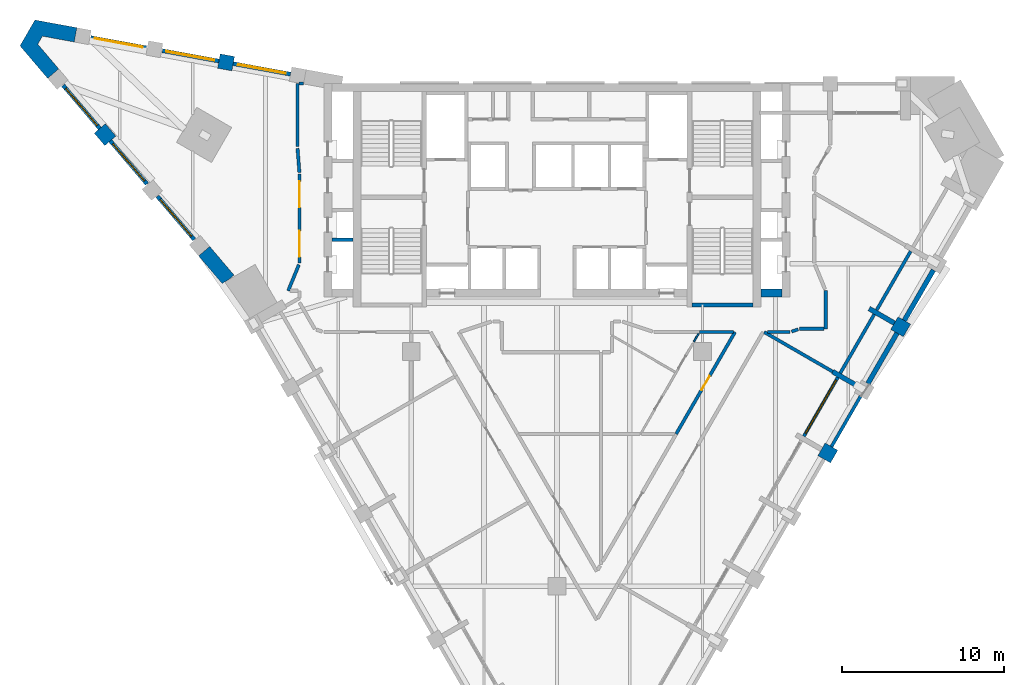
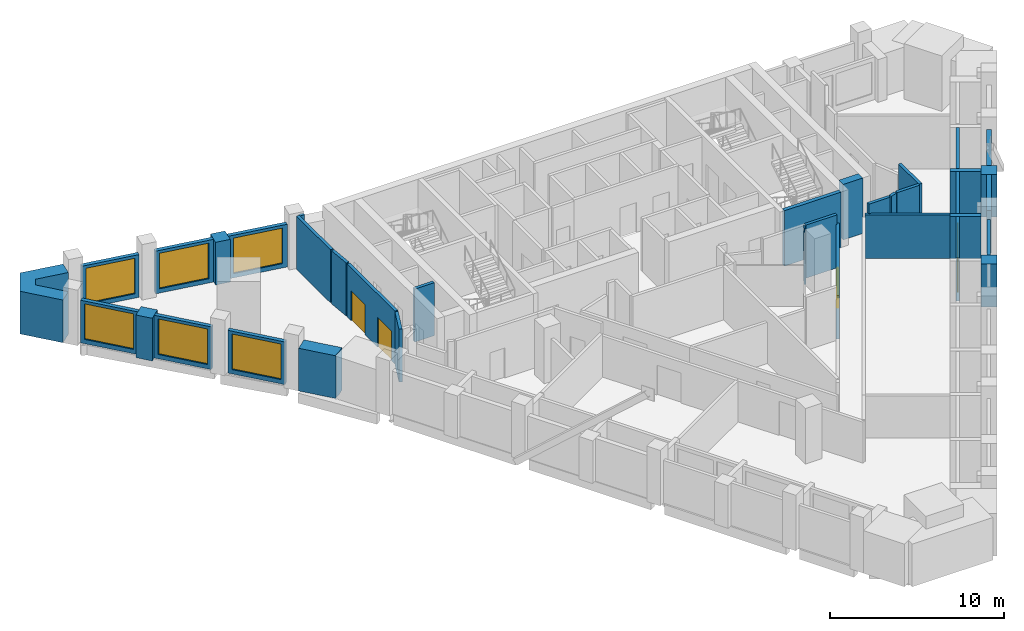
# One storey, part 5 of 9: 36 walls, 7 windows, 3 doors, 10 openings.
"""IFC4 building model written with IfcOpenShell, lengths in metres."""

import ifcopenshell
import ifcopenshell.guid

model = None  # the IFC model being written
_history = None  # IfcOwnerHistory: only IFC2X3 demands one
_inside = {}  # id of a spatial element -> (the spatial element, [elements in it])
_under = {}  # id of a project, library or spatial element -> (it, [spatial elements below it])
_declared = {}  # id of a project -> (the project, [libraries it declares])
_typed = {}  # id of a type object -> (the type object, [elements of that type])
_made_of = {}  # id of a material, layer set ... -> (it, [elements and type objects made of it])


def new_model(schema):
    """Start an empty IFC model of exactly this schema.

    Asked for "IFC4X3", IfcOpenShell would pick the latest addendum, in which some entities
    have other attributes; the version numbers below select the first issue.
    IFC2X3 requires an IfcOwnerHistory on every rooted entity: one is made here for all.
    """
    global model, _history
    if schema == "IFC4X3":
        model = ifcopenshell.file(schema_version=(4, 3, 0, 0))
    else:
        model = ifcopenshell.file(schema=schema)
    _inside.clear()
    _under.clear()
    _declared.clear()
    _typed.clear()
    _made_of.clear()
    _history = None
    if model.schema == "IFC2X3":
        org = make("IfcOrganization", Name="unknown")
        user = make(
            "IfcPersonAndOrganization",
            ThePerson=make("IfcPerson", FamilyName="unknown"),
            TheOrganization=org,
        )
        app = make(
            "IfcApplication",
            ApplicationDeveloper=org,
            Version="unknown",
            ApplicationFullName="unknown",
            ApplicationIdentifier="unknown",
        )
        _history = make(
            "IfcOwnerHistory",
            OwningUser=user,
            OwningApplication=app,
            ChangeAction="ADDED",
            CreationDate=0,
        )
    return model


def make(cls, **values):
    """One entity of the class cls with the attributes given. An attribute that is None is left unset."""
    return model.create_entity(
        cls, **{name: value for name, value in values.items() if value is not None}
    )


def rooted(cls, **values):
    """An entity with a GlobalId (a new one), such as an element, a storey or a relation."""
    return make(cls, GlobalId=ifcopenshell.guid.new(), OwnerHistory=_history, **values)


def si_unit(unit_type, name, prefix=None):
    """IfcSIUnit, for example si_unit("LENGTHUNIT", "METRE", prefix="MILLI")."""
    return make("IfcSIUnit", UnitType=unit_type, Prefix=prefix, Name=name)


def assignment(units):
    """IfcUnitAssignment: the units of a project."""
    return None if units is None else make("IfcUnitAssignment", Units=units)


def point(xyz):
    """IfcCartesianPoint."""
    return None if xyz is None else make("IfcCartesianPoint", Coordinates=xyz)


def direction(xyz):
    """IfcDirection."""
    return None if xyz is None else make("IfcDirection", DirectionRatios=xyz)


def frame(location, z_axis=None, x_axis=None):
    """IfcAxis2Placement3D, a coordinate frame: its origin and axes. An axis left out is left unset."""
    return make(
        "IfcAxis2Placement3D",
        Location=point(location),
        Axis=direction(z_axis),
        RefDirection=direction(x_axis),
    )


def frame_2d(location, x_axis=None):
    """IfcAxis2Placement2D, a coordinate frame in the plane: its origin and x axis."""
    return make(
        "IfcAxis2Placement2D", Location=point(location), RefDirection=direction(x_axis)
    )


def origin():
    """The frame at (0, 0, 0) with its axes left unset."""
    return frame((0.0, 0.0, 0.0))


def place(relative_to, where):
    """IfcLocalPlacement: puts the frame where relative to a parent placement (None: the world)."""
    return make(
        "IfcLocalPlacement", PlacementRelTo=relative_to, RelativePlacement=where
    )


def context(
    kind, dimensions, precision=None, world=None, true_north=None, identifier=None
):
    """IfcGeometricRepresentationContext, for example the 3D "Model" context."""
    return make(
        "IfcGeometricRepresentationContext",
        ContextIdentifier=identifier,
        ContextType=kind,
        CoordinateSpaceDimension=dimensions,
        Precision=precision,
        WorldCoordinateSystem=world,
        TrueNorth=true_north,
    )


def subcontext(parent, identifier, kind, view, scale=None):
    """IfcGeometricRepresentationSubContext, for example "Body" below "Model"."""
    return make(
        "IfcGeometricRepresentationSubContext",
        ContextIdentifier=identifier,
        ContextType=kind,
        ParentContext=parent,
        TargetScale=scale,
        TargetView=view,
    )


def project(units=None, contexts=None):
    """IfcProject with its units and contexts."""
    return rooted(
        "IfcProject",
        Name="project",
        RepresentationContexts=contexts,
        UnitsInContext=assignment(units),
    )


def spatial(cls, under=None, at=None, **own):
    """A site, building, storey or space (cls), placed at a placement, below another one or the project."""
    s = rooted(cls, ObjectPlacement=at, **own)
    if under is not None:
        _under.setdefault(under.id(), (under, []))[1].append(s)
    return s


def polyline(points):
    """IfcPolyline through the points."""
    return make("IfcPolyline", Points=[point(p) for p in points])


def profile(cls, at=None, kind="AREA", **sizes):
    """A parametric profile (cls). Its sizes go by their IFC names, for example OverallWidth=200.0."""
    return make(cls, ProfileType=kind, Position=at, **sizes)


def rectangle(**sizes):
    """IfcRectangleProfileDef."""
    return profile("IfcRectangleProfileDef", **sizes)


def outline(outer, holes=None, kind="AREA"):
    """IfcArbitraryClosedProfileDef: a profile drawn as a closed curve; with holes, ...WithVoids."""
    if holes is None:
        return make("IfcArbitraryClosedProfileDef", ProfileType=kind, OuterCurve=outer)
    return make(
        "IfcArbitraryProfileDefWithVoids",
        ProfileType=kind,
        OuterCurve=outer,
        InnerCurves=holes,
    )


def extrude(swept, where, along, depth):
    """IfcExtrudedAreaSolid: the profile swept, set in the frame where, extruded along a direction by depth."""
    return make(
        "IfcExtrudedAreaSolid",
        SweptArea=swept,
        Position=where,
        ExtrudedDirection=direction(along),
        Depth=depth,
    )


def shape(context_of_items, identifier, shape_type, items):
    """IfcShapeRepresentation: the items that make up one representation, for example the "Body"."""
    return make(
        "IfcShapeRepresentation",
        ContextOfItems=context_of_items,
        RepresentationIdentifier=identifier,
        RepresentationType=shape_type,
        Items=items,
    )


def material(Name=None, Category=None):
    """IfcMaterial."""
    return make("IfcMaterial", Name=Name, Category=Category)


def layer(
    of_material, thickness, ventilated=None, Name=None, Category=None, Priority=None
):
    """IfcMaterialLayer: one layer of a wall or slab, of a material (None: an air gap)."""
    return make(
        "IfcMaterialLayer",
        Material=of_material,
        LayerThickness=thickness,
        IsVentilated=ventilated,
        Name=Name,
        Category=Category,
        Priority=Priority,
    )


def layer_set(layers, Name=None):
    """IfcMaterialLayerSet."""
    return make("IfcMaterialLayerSet", MaterialLayers=layers, LayerSetName=Name)


def made_of(thing, what):
    """Note that an element or type object is made of a material, layer set ...; save() writes the relation."""
    if what is not None:
        _made_of.setdefault(what.id(), (what, []))[1].append(thing)
    return thing


def type_object(cls, material=None, **own):
    """A type object (cls), such as IfcWallType, which elements share."""
    return made_of(rooted(cls, **own), material)


def element(
    cls,
    number,
    at=None,
    inside=None,
    cuts=None,
    type_object=None,
    material=None,
    context=None,
    identifier="Body",
    shape_type=None,
    held_by="IfcProductDefinitionShape",
    body=None,
    shapes=None,
    **own,
):
    """One element of the class cls, such as IfcWall. Its Tag is "e" and its number.

    at: its placement. inside: the storey or other place that contains it. cuts: it is an
    opening in that element (IfcRelVoidsElement). A single representation is given by context,
    identifier, shape_type and body (its items); several are given by shapes. held_by: the class
    of the entity that holds the representations. save() writes the other relations.
    """
    e = rooted(cls, Tag="e%d" % number, ObjectPlacement=at, **own)
    if body is not None:
        shapes = [shape(context, identifier, shape_type, body)]
    if shapes is not None:
        e.Representation = make(held_by, Representations=shapes)
    if inside is not None:
        _inside.setdefault(inside.id(), (inside, []))[1].append(e)
    if cuts is not None:
        rooted(
            "IfcRelVoidsElement", RelatingBuildingElement=cuts, RelatedOpeningElement=e
        )
    if type_object is not None:
        _typed.setdefault(type_object.id(), (type_object, []))[1].append(e)
    return made_of(e, material)


def fill(opening, filler):
    """IfcRelFillsElement: the door or window that sits in an opening."""
    return rooted(
        "IfcRelFillsElement",
        RelatingOpeningElement=opening,
        RelatedBuildingElement=filler,
    )


def aggregate(whole, parts):
    """IfcRelAggregates: a whole, such as a stair, and the parts it consists of."""
    return rooted("IfcRelAggregates", RelatingObject=whole, RelatedObjects=parts)


def save(model, path):
    """Write the relations noted so far, then the file.

    IfcRelAggregates (storeys below a building ...), IfcRelContainedInSpatialStructure (elements
    in a storey), IfcRelDefinesByType, IfcRelAssociatesMaterial and IfcRelDeclares: one each for
    every whole, place, type object, material and project.
    """
    for whole, parts in _under.values():
        aggregate(whole, parts)
    for where, things in _inside.values():
        rooted(
            "IfcRelContainedInSpatialStructure",
            RelatedElements=things,
            RelatingStructure=where,
        )
    for kind, things in _typed.values():
        rooted("IfcRelDefinesByType", RelatedObjects=things, RelatingType=kind)
    for what, things in _made_of.values():
        rooted("IfcRelAssociatesMaterial", RelatedObjects=things, RelatingMaterial=what)
    for by, libraries in _declared.values():
        rooted("IfcRelDeclares", RelatingContext=by, RelatedDefinitions=libraries)
    model.write(path)


model = new_model("IFC4")

# Units and contexts
model_context = context("Model", 3, precision=1e-05, world=origin(), true_north=direction((0.0, 1.0)))
body_context = subcontext(model_context, "Body", "Model", "MODEL_VIEW")
ifc_project = project(units=[si_unit("LENGTHUNIT", "METRE"), si_unit("AREAUNIT", "SQUARE_METRE"), si_unit("VOLUMEUNIT", "CUBIC_METRE"), si_unit("PLANEANGLEUNIT", "RADIAN"), si_unit("MASSUNIT", "GRAM", prefix="KILO")], contexts=[model_context])

# Site, building, storey
site_placement = place(None, origin())
site = spatial("IfcSite", under=ifc_project, at=site_placement, CompositionType="ELEMENT")
building_placement = place(site_placement, origin())
building = spatial("IfcBuilding", under=site, at=building_placement, Name="Calabash Gate Tower", CompositionType="ELEMENT")
storey_placement = place(building_placement, frame((0.0, 0.0, 204.199951171875)))
storey = spatial("IfcBuildingStorey", under=building, at=storey_placement, Name="L48", CompositionType="ELEMENT", Elevation=204.199951171875)

# Walls
ifc_material_1 = material(Name="Terracotta brick masonry, exposed face", Category="masonry")
ifc_layer_1 = layer(ifc_material_1, 0.89990234375)
ifc_layer_set_1 = layer_set([ifc_layer_1], Name="Brick end wall 900")
wall_type_1 = type_object("IfcWallType", Name="Brick end wall 900", PredefinedType="SOLIDWALL", material=ifc_layer_set_1)
wall_1_placement = place(storey_placement, frame((17.12548828125, -3.9931640625, 0.0), z_axis=(0.0, 0.0, 1.0), x_axis=(-0.866013897511, 0.50001992892, 0.0)))
element("IfcWall", 1, at=wall_1_placement, inside=storey, type_object=wall_type_1, Name="Brick pier S13 SE2.5", PredefinedType="SOLIDWALL", context=body_context, shape_type="SweptSolid", body=[
    extrude(rectangle(XDim=0.89990234375, YDim=0.89990234375, at=frame_2d((0.449951171875, 0.0))), origin(), (0.0, 0.0, 1.0), 3.0),
])
wall_2_placement = place(storey_placement, frame((21.4609375, 4.415771484375, 0.0), z_axis=(0.0, 0.0, 1.0), x_axis=(-0.499902469156, -0.866081705922, 0.0)))
element("IfcWall", 2, at=wall_2_placement, inside=storey, type_object=wall_type_1, Name="Brick pier S13 SE2.7", PredefinedType="SOLIDWALL", context=body_context, shape_type="SweptSolid", body=[
    extrude(rectangle(XDim=0.900146484375, YDim=0.89990234375, at=frame_2d((0.4501953125, 0.0))), origin(), (0.0, 0.0, 1.0), 3.0),
])
wall_3_placement = place(storey_placement, frame((-20.52099609375, 19.91796875, 0.0), z_axis=(0.0, 0.0, 1.0), x_axis=(0.180126650564, 0.983643426124, 0.0)))
element("IfcWall", 3, at=wall_3_placement, inside=storey, type_object=wall_type_1, Name="Brick pier S13 wedge5.1", PredefinedType="SOLIDWALL", context=body_context, shape_type="SweptSolid", body=[
    extrude(rectangle(XDim=0.89990234375, YDim=0.89990234375, at=frame_2d((0.449951171875, 0.0))), origin(), (0.0, 0.0, 1.0), 3.0),
])
wall_4_placement = place(storey_placement, frame((-27.587890625, 15.511474609375, 0.0), z_axis=(0.0, 0.0, 1.0), x_axis=(-0.647641360564, 0.761945318305, 0.0)))
element("IfcWall", 4, at=wall_4_placement, inside=storey, type_object=wall_type_1, Name="Brick pier S13 wedge7.1", PredefinedType="SOLIDWALL", context=body_context, shape_type="SweptSolid", body=[
    extrude(rectangle(XDim=1.00390625, YDim=0.89990234375, at=frame_2d((0.501953125, 0.0))), origin(), (0.0, 0.0, 1.0), 3.0),
])
wall_5_placement = place(storey_placement, origin())
element("IfcWall", 5, at=wall_5_placement, inside=storey, type_object=wall_type_1, Name="Brick end wall S13 2", PredefinedType="SOLIDWALL", context=body_context, shape_type="SweptSolid", body=[
    extrude(outline(polyline([(-31.784423828125, 21.978759765625), (-29.816650390625, 21.618896484375), (-29.654541015625, 22.504150390625), (-32.24658203125, 22.978271484375), (-33.168701171875, 21.38134765625), (-31.4619140625, 19.373779296875), (-30.776123046875, 19.956787109375), (-32.072021484375, 21.48095703125), (-31.784423828125, 21.978759765625)])), origin(), (0.0, 0.0, 1.0), 3.0),
])
wall_6_placement = place(storey_placement, origin())
element("IfcWall", 6, at=wall_6_placement, inside=storey, type_object=wall_type_1, Name="Brick end wall S13 3", PredefinedType="SOLIDWALL", context=body_context, shape_type="SweptSolid", body=[
    extrude(outline(polyline([(-19.947998046875, 7.2197265625), (-21.44921875, 8.985595703125), (-22.135009765625, 8.402587890625), (-20.66015625, 6.667724609375), (-20.6806640625, 6.703125), (-20.291015625, 6.92822265625), (-19.947998046875, 7.2197265625)])), origin(), (0.0, 0.0, 1.0), 3.0),
])
ifc_material_2 = material(Name="Terracotta brick masonry, exposed face", Category="masonry")
ifc_layer_2 = layer(ifc_material_2, 0.300048828125)
ifc_layer_set_2 = layer_set([ifc_layer_2], Name="Brick infill panel wall 300")
wall_type_2 = type_object("IfcWallType", Name="Brick infill panel wall 300", PredefinedType="SOLIDWALL", material=ifc_layer_set_2)
for number, where, z_axis, x_axis, name in (
    (7, (19.2109375, 0.5185546875, 0.0), (0.0, 0.0, 1.0), (0.500012057535, 0.866018442252, 0.0), "Brick panel S13 SE2.7"),
    (8, (21.4609375, 4.415771484375, 0.0), (0.0, 0.0, 1.0), (0.500012057535, 0.866018442252, 0.0), "Brick panel S13 SE2.8"),
):
    element("IfcWall", number, at=place(storey_placement, frame(where, z_axis=z_axis, x_axis=x_axis)), inside=storey, type_object=wall_type_2, Name=name, PredefinedType="SOLIDWALL", context=body_context, shape_type="SweptSolid", body=[
        extrude(rectangle(XDim=3.60009765625, YDim=0.300048828125, at=frame_2d((1.800048828125, 0.0))), origin(), (0.0, 0.0, 1.0), 3.0),
    ])
ifc_material_3 = material(Name="Terracotta brick masonry, exposed face", Category="masonry")
ifc_layer_3 = layer(ifc_material_3, 0.300048828125)
ifc_layer_set_3 = layer_set([ifc_layer_3], Name="Brick loggia cheek wall 300")
wall_type_3 = type_object("IfcWallType", Name="Brick loggia cheek wall 300", PredefinedType="SOLIDWALL", material=ifc_layer_set_3)
for number, where, z_axis, x_axis, name in (
    (9, (18.59619140625, 0.353759765625, 0.0), (0.0, 0.0, 1.0), (-0.865989075817, 0.500062916607, 0.0), "Loggia cheek S13 SE2.6"),
    (10, (20.84619140625, 4.2509765625, 0.0), (0.0, 0.0, 1.0), (-0.866047807691, 0.499961193289, 0.0), "Loggia cheek S13 SE2.7"),
):
    element("IfcWall", number, at=place(storey_placement, frame(where, z_axis=z_axis, x_axis=x_axis)), inside=storey, type_object=wall_type_3, Name=name, PredefinedType="SOLIDWALL", context=body_context, shape_type="SweptSolid", body=[
        extrude(rectangle(XDim=1.800048828125, YDim=0.300048828125, at=frame_2d((0.89990234375, 0.0))), origin(), (0.0, 0.0, 1.0), 3.0),
    ])
ifc_material_4 = material(Name="Concrete C70/85", Category="concrete")
ifc_layer_4 = layer(ifc_material_4, 0.25)
ifc_layer_set_4 = layer_set([ifc_layer_4], Name="Core wall 250 Concrete C70/85")
wall_type_4 = type_object("IfcWallType", Name="Core wall 250 Concrete C70/85", PredefinedType="SHEAR", material=ifc_layer_set_4)
wall_7_placement = place(storey_placement, frame((8.35009765625, 5.377685546875, 0.0), z_axis=(0.0, 0.0, 1.0), x_axis=(1.0, 0.0, 0.0)))
element("IfcWall", 11, at=wall_7_placement, inside=storey, type_object=wall_type_4, Name="Core wall Z4-SSE L48", PredefinedType="SHEAR", context=body_context, shape_type="SweptSolid", body=[
    extrude(rectangle(XDim=3.75, YDim=0.25, at=frame_2d((1.875, 0.0))), origin(), (0.0, 0.0, 1.0), 3.900146484375),
])
ifc_material_5 = material(Name="Concrete C70/85", Category="concrete")
ifc_layer_5 = layer(ifc_material_5, 0.5)
ifc_layer_set_5 = layer_set([ifc_layer_5], Name="Core wall 500 Concrete C70/85")
wall_type_5 = type_object("IfcWallType", Name="Core wall 500 Concrete C70/85", PredefinedType="SHEAR", material=ifc_layer_set_5)
wall_8_placement = place(storey_placement, frame((12.60009765625, 6.1025390625, 0.0), z_axis=(0.0, 0.0, 1.0), x_axis=(1.0, 0.0, 0.0)))
element("IfcWall", 12, at=wall_8_placement, inside=storey, type_object=wall_type_5, Name="Core wall Z4-SE L48", PredefinedType="SHEAR", context=body_context, shape_type="SweptSolid", body=[
    extrude(rectangle(XDim=1.2998046875, YDim=0.5, at=frame_2d((0.64990234375, 0.0))), origin(), (0.0, 0.0, 1.0), 3.900146484375),
])
ifc_material_6 = material(Name="Gypsum board on steel studs, mineral wool", Category="steel")
ifc_layer_6 = layer(ifc_material_6, 0.10009765625)
ifc_layer_set_6 = layer_set([ifc_layer_6], Name="Partition 100 gypsum board")
wall_type_6 = type_object("IfcWallType", Name="Partition 100 gypsum board", PredefinedType="PARTITIONING", material=ifc_layer_set_6)
wall_9_placement = place(storey_placement, frame((8.461181640625, 3.10009765625, 0.0), z_axis=(0.0, 0.0, 1.0), x_axis=(0.497827271586, 0.867276200334, 0.0)))
element("IfcWall", 13, at=wall_9_placement, inside=storey, type_object=wall_type_6, Name="Partition", PredefinedType="PARTITIONING", context=body_context, shape_type="SweptSolid", body=[
    extrude(rectangle(XDim=0.591552734375, YDim=0.10009765625, at=frame_2d((0.2958984375, 0.0))), origin(), (0.0, 0.0, 1.0), 3.72998046875),
])

# Wall, opening, door
ifc_material_7 = material(Name="Gypsum board on steel studs, mineral wool", Category="steel")
ifc_layer_7 = layer(ifc_material_7, 0.199951171875)
ifc_layer_set_7 = layer_set([ifc_layer_7], Name="Partition 200 gypsum board EI 60")
wall_type_7 = type_object("IfcWallType", Name="Partition 200 gypsum board EI 60", PredefinedType="PARTITIONING", material=ifc_layer_set_7)
wall_10_placement = place(storey_placement, frame((7.365966796875, -2.59326171875, 0.0), z_axis=(0.0, 0.0, 1.0), x_axis=(0.500232263529, 0.865891264839, 0.0)))
wall_10 = element("IfcWall", 14, at=wall_10_placement, inside=storey, type_object=wall_type_7, Name="Partition", PredefinedType="PARTITIONING", context=body_context, shape_type="SweptSolid", body=[
    extrude(rectangle(XDim=7.267578125, YDim=0.199951171875, at=frame_2d((3.6337890625, 0.0))), origin(), (0.0, 0.0, 1.0), 3.052001953125),
])
opening_1_placement = place(wall_10_placement, frame((3.133544921875, 0.0, 0.0)))
opening_1 = element("IfcOpeningElement", 15, at=opening_1_placement, cuts=wall_10, Name="Opening 46-48-013", PredefinedType="OPENING", context=body_context, shape_type="SweptSolid", body=[
    extrude(rectangle(XDim=1.0, YDim=2.10009765625, at=frame_2d((0.5, 1.050048828125))), frame((0.0, 0.10986328125, 0.0), z_axis=(0.0, -1.0, 0.0), x_axis=(1.0, 0.0, 0.0)), (0.0, 0.0, 1.0), 0.219970703125),
])
ifc_material_8 = material(Name="Steel fire door set with fire-resisting glazing", Category="steel")
door_type_1 = type_object("IfcDoorType", Name="WD3 WC lobby door 1000x2100", OperationType="NOTDEFINED", PredefinedType="DOOR", material=ifc_material_8)
door_1_placement = place(opening_1_placement, origin())
door_1 = element("IfcDoor", 16, at=door_1_placement, inside=storey, type_object=door_type_1, Name="WC lobby door", OperationType="SINGLE_SWING_LEFT", OverallHeight=2.10009765625, OverallWidth=1.0, PredefinedType="DOOR", context=body_context, shape_type="SweptSolid", body=[
    extrude(rectangle(XDim=1.0, YDim=2.10009765625, at=frame_2d((0.5, 1.050048828125))), frame((0.0, 0.02490234375, 0.0), z_axis=(0.0, -1.0, 0.0), x_axis=(1.0, 0.0, 0.0)), (0.0, 0.0, 1.0), 0.050048828125),
])
fill(opening_1, door_1)

# Walls
wall_11_placement = place(storey_placement, frame((8.806640625, 3.697998046875, 0.0), z_axis=(0.0, 0.0, 1.0), x_axis=(0.999999667194, 0.000815850544, 0.0)))
element("IfcWall", 17, at=wall_11_placement, inside=storey, type_object=wall_type_7, Name="Partition", PredefinedType="PARTITIONING", context=body_context, shape_type="SweptSolid", body=[
    extrude(rectangle(XDim=2.0947265625, YDim=0.199951171875, at=frame_2d((1.04736328125, 0.0))), origin(), (0.0, 0.0, 1.0), 3.72998046875),
])
wall_12_placement = place(storey_placement, frame((12.805419921875, 3.699462890625, 0.0), z_axis=(0.0, 0.0, 1.0), x_axis=(0.865881901496, -0.500248470925, 0.0)))
element("IfcWall", 18, at=wall_12_placement, inside=storey, type_object=wall_type_7, Name="Partition", PredefinedType="PARTITIONING", context=body_context, shape_type="SweptSolid", body=[
    extrude(rectangle(XDim=4.8876953125, YDim=0.199951171875, at=frame_2d((2.44384765625, 0.0))), origin(), (0.0, 0.0, 1.0), 3.052001953125),
])
wall_13_placement = place(storey_placement, frame((13.007568359375, 3.6982421875, 0.0), z_axis=(0.0, 0.0, 1.0), x_axis=(0.999999615671, 0.000876731208, 0.0)))
element("IfcWall", 19, at=wall_13_placement, inside=storey, type_object=wall_type_7, Name="Partition", PredefinedType="PARTITIONING", context=body_context, shape_type="SweptSolid", body=[
    extrude(rectangle(XDim=1.392333984375, YDim=0.199951171875, at=frame_2d((0.6962890625, 0.0))), origin(), (0.0, 0.0, 1.0), 3.72998046875),
])
wall_14_placement = place(storey_placement, frame((14.494873046875, 3.731201171875, 0.0), z_axis=(0.0, 0.0, 1.0), x_axis=(0.948739721949, 0.316058443957, 0.0)))
element("IfcWall", 20, at=wall_14_placement, inside=storey, type_object=wall_type_7, Name="Partition", PredefinedType="PARTITIONING", context=body_context, shape_type="SweptSolid", body=[
    extrude(rectangle(XDim=0.4326171875, YDim=0.199951171875, at=frame_2d((0.21630859375, 0.0))), origin(), (0.0, 0.0, 1.0), 3.72998046875),
])
wall_15_placement = place(storey_placement, frame((15.0, 3.8994140625, 0.0), z_axis=(0.0, 0.0, 1.0), x_axis=(0.999999947053, 0.000325414887, 0.0)))
element("IfcWall", 21, at=wall_15_placement, inside=storey, type_object=wall_type_7, Name="Partition", PredefinedType="PARTITIONING", context=body_context, shape_type="SweptSolid", body=[
    extrude(rectangle(XDim=1.50048828125, YDim=0.199951171875, at=frame_2d((0.750244140625, 0.0))), origin(), (0.0, 0.0, 1.0), 3.72998046875),
])
wall_16_placement = place(storey_placement, frame((-16.6005859375, 6.252685546875, 0.0), z_axis=(0.0, 0.0, 1.0), x_axis=(0.380742741509, 0.924681007044, 0.0)))
element("IfcWall", 22, at=wall_16_placement, inside=storey, type_object=wall_type_7, Name="Partition", PredefinedType="PARTITIONING", context=body_context, shape_type="SweptSolid", body=[
    extrude(rectangle(XDim=1.73828125, YDim=0.199951171875, at=frame_2d((0.869140625, 0.0))), origin(), (0.0, 0.0, 1.0), 3.72998046875),
])
wall_17_placement = place(storey_placement, frame((16.6005859375, 3.89990234375, 0.0), z_axis=(0.0, 0.0, 1.0), x_axis=(0.0, 1.0, 0.0)))
element("IfcWall", 23, at=wall_17_placement, inside=storey, type_object=wall_type_7, Name="Partition", PredefinedType="PARTITIONING", context=body_context, shape_type="SweptSolid", body=[
    extrude(rectangle(XDim=2.352783203125, YDim=0.199951171875, at=frame_2d((1.17626953125, 0.0))), origin(), (0.0, 0.0, 1.0), 3.72998046875),
])

# Wall, openings, doors
wall_18_placement = place(storey_placement, frame((-15.900390625, 7.95263671875, 0.0), z_axis=(0.0, 0.0, 1.0), x_axis=(0.0, 1.0, 0.0)))
wall_18 = element("IfcWall", 24, at=wall_18_placement, inside=storey, type_object=wall_type_7, Name="Partition", PredefinedType="PARTITIONING", context=body_context, shape_type="SweptSolid", body=[
    extrude(rectangle(XDim=5.499755859375, YDim=0.199951171875, at=frame_2d((2.75, 0.0))), origin(), (0.0, 0.0, 1.0), 3.72998046875),
])
opening_2_placement = place(wall_18_placement, frame((0.39990234375, 0.0, 0.0)))
opening_2 = element("IfcOpeningElement", 25, at=opening_2_placement, cuts=wall_18, Name="Opening 46-48-006", PredefinedType="OPENING", context=body_context, shape_type="SweptSolid", body=[
    extrude(rectangle(XDim=1.60009765625, YDim=2.10009765625, at=frame_2d((0.800048828125, 1.050048828125))), frame((0.0, 0.10986328125, 0.0), z_axis=(0.0, -1.0, 0.0), x_axis=(1.0, 0.0, 0.0)), (0.0, 0.0, 1.0), 0.219970703125),
])
opening_3_placement = place(wall_18_placement, frame((3.44970703125, 0.0, 0.0)))
opening_3 = element("IfcOpeningElement", 26, at=opening_3_placement, cuts=wall_18, Name="Opening 46-48-007", PredefinedType="OPENING", context=body_context, shape_type="SweptSolid", body=[
    extrude(rectangle(XDim=1.60009765625, YDim=2.10009765625, at=frame_2d((0.800048828125, 1.050048828125))), frame((0.0, 0.10986328125, 0.0), z_axis=(0.0, -1.0, 0.0), x_axis=(1.0, 0.0, 0.0)), (0.0, 0.0, 1.0), 0.219970703125),
])
ifc_material_9 = material(Name="Steel fire door set with fire-resisting glazing", Category="steel")
door_type_2 = type_object("IfcDoorType", Name="LD1 Lounge double door 1600x2100", OperationType="NOTDEFINED", PredefinedType="DOOR", material=ifc_material_9)
door_2_placement = place(opening_2_placement, origin())
door_2 = element("IfcDoor", 27, at=door_2_placement, inside=storey, type_object=door_type_2, Name="Lounge double door", OperationType="DOUBLE_DOOR_SINGLE_SWING", OverallHeight=2.10009765625, OverallWidth=1.60009765625, PredefinedType="DOOR", context=body_context, shape_type="SweptSolid", body=[
    extrude(rectangle(XDim=1.60009765625, YDim=2.10009765625, at=frame_2d((0.800048828125, 1.050048828125))), frame((0.0, 0.02490234375, 0.0), z_axis=(0.0, -1.0, 0.0), x_axis=(1.0, 0.0, 0.0)), (0.0, 0.0, 1.0), 0.050048828125),
])
fill(opening_2, door_2)
door_3_placement = place(opening_3_placement, origin())
door_3 = element("IfcDoor", 28, at=door_3_placement, inside=storey, type_object=door_type_2, Name="Lounge double door", OperationType="DOUBLE_DOOR_SINGLE_SWING", OverallHeight=2.10009765625, OverallWidth=1.60009765625, PredefinedType="DOOR", context=body_context, shape_type="SweptSolid", body=[
    extrude(rectangle(XDim=1.60009765625, YDim=2.10009765625, at=frame_2d((0.800048828125, 1.050048828125))), frame((0.0, 0.02490234375, 0.0), z_axis=(0.0, -1.0, 0.0), x_axis=(1.0, 0.0, 0.0)), (0.0, 0.0, 1.0), 0.050048828125),
])
fill(opening_3, door_3)

# Walls
wall_19_placement = place(storey_placement, frame((-16.024169921875, 15.052978515625, 0.0), z_axis=(0.0, 0.0, 1.0), x_axis=(0.07704378759, -0.997027710143, 0.0)))
element("IfcWall", 29, at=wall_19_placement, inside=storey, type_object=wall_type_7, Name="Partition", PredefinedType="PARTITIONING", context=body_context, shape_type="SweptSolid", body=[
    extrude(rectangle(XDim=1.505126953125, YDim=0.199951171875, at=frame_2d((0.75244140625, 0.0))), origin(), (0.0, 0.0, 1.0), 3.72998046875),
])
wall_20_placement = place(storey_placement, frame((-16.031982421875, 15.152587890625, 0.0), z_axis=(0.0, 0.0, 1.0), x_axis=(0.0, 1.0, 0.0)))
element("IfcWall", 30, at=wall_20_placement, inside=storey, type_object=wall_type_7, Name="Partition", PredefinedType="PARTITIONING", context=body_context, shape_type="SweptSolid", body=[
    extrude(rectangle(XDim=3.89990234375, YDim=0.199951171875, at=frame_2d((1.949951171875, 0.0))), origin(), (0.0, 0.0, 1.0), 3.72998046875),
])
wall_21_placement = place(storey_placement, frame((-15.931884765625, 19.052490234375, 0.0), z_axis=(0.0, 0.0, 1.0), x_axis=(1.0, 0.0, 0.0)))
element("IfcWall", 31, at=wall_21_placement, inside=storey, type_object=wall_type_7, Name="Partition", PredefinedType="PARTITIONING", context=body_context, shape_type="SweptSolid", body=[
    extrude(rectangle(XDim=0.28515625, YDim=0.199951171875, at=frame_2d((0.142578125, 0.0))), origin(), (0.0, 0.0, 1.0), 3.72998046875),
])

# Wall, opening, window
ifc_material_10 = material(Name="Aluminium framed window wall with insulated spandrel", Category="aluminium")
ifc_layer_8 = layer(ifc_material_10, 0.25)
ifc_layer_set_8 = layer_set([ifc_layer_8], Name="Prow window wall 250")
wall_type_8 = type_object("IfcWallType", Name="Prow window wall 250", PredefinedType="ELEMENTEDWALL", material=ifc_layer_set_8)
wall_22_placement = place(storey_placement, frame((-16.4560546875, 19.631591796875, 0.0), z_axis=(0.0, 0.0, 1.0), x_axis=(-0.983669647318, 0.17998340186, 0.0)))
wall_22 = element("IfcWall", 32, at=wall_22_placement, inside=storey, type_object=wall_type_8, Name="Prow window wall S13 wedge5.1", PredefinedType="ELEMENTEDWALL", context=body_context, shape_type="SweptSolid", body=[
    extrude(rectangle(XDim=3.60009765625, YDim=0.25, at=frame_2d((1.800048828125, 0.0))), origin(), (0.0, 0.0, 1.0), 3.0),
])
opening_4_placement = place(wall_22_placement, frame((0.300048828125, 0.0, 0.300048828125)))
opening_4 = element("IfcOpeningElement", 33, at=opening_4_placement, cuts=wall_22, Name="Opening WP2", PredefinedType="OPENING", context=body_context, shape_type="SweptSolid", body=[
    extrude(rectangle(XDim=3.0, YDim=2.5, at=frame_2d((1.5, 1.25))), frame((0.0, 0.135009765625, 0.0), z_axis=(0.0, -1.0, 0.0), x_axis=(1.0, 0.0, 0.0)), (0.0, 0.0, 1.0), 0.27001953125),
])
ifc_material_11 = material(Name="Anodised aluminium frame, bronze finish, impact-rated laminated clear glazing", Category="aluminium")
window_type_1 = type_object("IfcWindowType", Name="Window WP2 3000x2500", PartitioningType="DOUBLE_PANEL_VERTICAL", PredefinedType="WINDOW", material=ifc_material_11)
window_1_placement = place(opening_4_placement, origin())
window_1 = element("IfcWindow", 34, at=window_1_placement, inside=storey, type_object=window_type_1, Name="Prow window WP2 S13 wedge5.1", OverallHeight=2.5, OverallWidth=3.0, PartitioningType="SINGLE_PANEL", PredefinedType="WINDOW", context=body_context, shape_type="SweptSolid", body=[
    extrude(rectangle(XDim=3.0, YDim=2.5, at=frame_2d((1.5, 1.25))), frame((0.0, 0.030029296875, 0.0), z_axis=(0.0, -1.0, 0.0), x_axis=(1.0, 0.0, 0.0)), (0.0, 0.0, 1.0), 0.06005859375),
])
fill(opening_4, window_1)

wall_23_placement = place(storey_placement, frame((-20.880615234375, 20.441162109375, 0.0), z_axis=(0.0, 0.0, 1.0), x_axis=(-0.98366583261, 0.180004249274, 0.0)))
wall_23 = element("IfcWall", 35, at=wall_23_placement, inside=storey, type_object=wall_type_8, Name="Prow window wall S13 wedge5.2", PredefinedType="ELEMENTEDWALL", context=body_context, shape_type="SweptSolid", body=[
    extrude(rectangle(XDim=3.55224609375, YDim=0.25, at=frame_2d((1.776123046875, 0.0))), origin(), (0.0, 0.0, 1.0), 3.0),
])
opening_5_placement = place(wall_23_placement, frame((0.302001953125, 0.0, 0.300048828125)))
opening_5 = element("IfcOpeningElement", 36, at=opening_5_placement, cuts=wall_23, Name="Opening WP2", PredefinedType="OPENING", context=body_context, shape_type="SweptSolid", body=[
    extrude(rectangle(XDim=3.0, YDim=2.5, at=frame_2d((1.5, 1.25))), frame((0.0, 0.135009765625, 0.0), z_axis=(0.0, -1.0, 0.0), x_axis=(1.0, 0.0, 0.0)), (0.0, 0.0, 1.0), 0.27001953125),
])
window_2_placement = place(opening_5_placement, origin())
window_2 = element("IfcWindow", 37, at=window_2_placement, inside=storey, type_object=window_type_1, Name="Prow window WP2 S13 wedge5.2", OverallHeight=2.5, OverallWidth=3.0, PartitioningType="SINGLE_PANEL", PredefinedType="WINDOW", context=body_context, shape_type="SweptSolid", body=[
    extrude(rectangle(XDim=3.0, YDim=2.5, at=frame_2d((1.5, 1.25))), frame((0.0, 0.030029296875, 0.0), z_axis=(0.0, -1.0, 0.0), x_axis=(1.0, 0.0, 0.0)), (0.0, 0.0, 1.0), 0.06005859375),
])
fill(opening_5, window_2)

wall_24_placement = place(storey_placement, frame((-25.3583984375, 21.260498046875, 0.0), z_axis=(0.0, 0.0, 1.0), x_axis=(-0.983672889292, 0.179965682483, 0.0)))
wall_24 = element("IfcWall", 38, at=wall_24_placement, inside=storey, type_object=wall_type_8, Name="Prow window wall S13 wedge5.3", PredefinedType="ELEMENTEDWALL", context=body_context, shape_type="SweptSolid", body=[
    extrude(rectangle(XDim=3.5, YDim=0.25, at=frame_2d((1.75, 0.0))), origin(), (0.0, 0.0, 1.0), 3.0),
])
opening_6_placement = place(wall_24_placement, frame((0.25, 0.0, 0.300048828125)))
opening_6 = element("IfcOpeningElement", 39, at=opening_6_placement, cuts=wall_24, Name="Opening WP2", PredefinedType="OPENING", context=body_context, shape_type="SweptSolid", body=[
    extrude(rectangle(XDim=3.0, YDim=2.5, at=frame_2d((1.5, 1.25))), frame((0.0, 0.135009765625, 0.0), z_axis=(0.0, -1.0, 0.0), x_axis=(1.0, 0.0, 0.0)), (0.0, 0.0, 1.0), 0.27001953125),
])
window_3_placement = place(opening_6_placement, origin())
window_3 = element("IfcWindow", 40, at=window_3_placement, inside=storey, type_object=window_type_1, Name="Prow window WP2 S13 wedge5.3", OverallHeight=2.5, OverallWidth=3.0, PartitioningType="SINGLE_PANEL", PredefinedType="WINDOW", context=body_context, shape_type="SweptSolid", body=[
    extrude(rectangle(XDim=3.0, YDim=2.5, at=frame_2d((1.5, 1.25))), frame((0.0, 0.030029296875, 0.0), z_axis=(0.0, -1.0, 0.0), x_axis=(1.0, 0.0, 0.0)), (0.0, 0.0, 1.0), 0.06005859375),
])
fill(opening_6, window_3)

wall_25_placement = place(storey_placement, frame((-30.503662109375, 18.94140625, 0.0), z_axis=(0.0, 0.0, 1.0), x_axis=(0.647701065937, -0.761894565661, 0.0)))
wall_25 = element("IfcWall", 41, at=wall_25_placement, inside=storey, type_object=wall_type_8, Name="Prow window wall S13 wedge7.1", PredefinedType="ELEMENTEDWALL", context=body_context, shape_type="SweptSolid", body=[
    extrude(rectangle(XDim=3.499755859375, YDim=0.25, at=frame_2d((1.75, 0.0))), origin(), (0.0, 0.0, 1.0), 3.0),
])
opening_7_placement = place(wall_25_placement, frame((0.25, 0.0, 0.300048828125)))
opening_7 = element("IfcOpeningElement", 42, at=opening_7_placement, cuts=wall_25, Name="Opening WP2", PredefinedType="OPENING", context=body_context, shape_type="SweptSolid", body=[
    extrude(rectangle(XDim=3.0, YDim=2.5, at=frame_2d((1.5, 1.25))), frame((0.0, 0.135009765625, 0.0), z_axis=(0.0, -1.0, 0.0), x_axis=(1.0, 0.0, 0.0)), (0.0, 0.0, 1.0), 0.27001953125),
])
window_4_placement = place(opening_7_placement, origin())
window_4 = element("IfcWindow", 43, at=window_4_placement, inside=storey, type_object=window_type_1, Name="Prow window WP2 S13 wedge7.1", OverallHeight=2.5, OverallWidth=3.0, PartitioningType="SINGLE_PANEL", PredefinedType="WINDOW", context=body_context, shape_type="SweptSolid", body=[
    extrude(rectangle(XDim=3.0, YDim=2.5, at=frame_2d((1.5, 1.25))), frame((0.0, 0.030029296875, 0.0), z_axis=(0.0, -1.0, 0.0), x_axis=(1.0, 0.0, 0.0)), (0.0, 0.0, 1.0), 0.06005859375),
])
fill(opening_7, window_4)

wall_26_placement = place(storey_placement, frame((-27.589111328125, 15.512939453125, 0.0), z_axis=(0.0, 0.0, 1.0), x_axis=(0.647741556426, -0.761860142073, 0.0)))
wall_26 = element("IfcWall", 44, at=wall_26_placement, inside=storey, type_object=wall_type_8, Name="Prow window wall S13 wedge7.2", PredefinedType="ELEMENTEDWALL", context=body_context, shape_type="SweptSolid", body=[
    extrude(rectangle(XDim=3.5, YDim=0.25, at=frame_2d((1.75, 0.0))), origin(), (0.0, 0.0, 1.0), 3.0),
])
opening_8_placement = place(wall_26_placement, frame((0.25, 0.0, 0.300048828125)))
opening_8 = element("IfcOpeningElement", 45, at=opening_8_placement, cuts=wall_26, Name="Opening WP2", PredefinedType="OPENING", context=body_context, shape_type="SweptSolid", body=[
    extrude(rectangle(XDim=3.0, YDim=2.5, at=frame_2d((1.5, 1.25))), frame((0.0, 0.135009765625, 0.0), z_axis=(0.0, -1.0, 0.0), x_axis=(1.0, 0.0, 0.0)), (0.0, 0.0, 1.0), 0.27001953125),
])
window_5_placement = place(opening_8_placement, origin())
window_5 = element("IfcWindow", 46, at=window_5_placement, inside=storey, type_object=window_type_1, Name="Prow window WP2 S13 wedge7.2", OverallHeight=2.5, OverallWidth=3.0, PartitioningType="SINGLE_PANEL", PredefinedType="WINDOW", context=body_context, shape_type="SweptSolid", body=[
    extrude(rectangle(XDim=3.0, YDim=2.5, at=frame_2d((1.5, 1.25))), frame((0.0, 0.030029296875, 0.0), z_axis=(0.0, -1.0, 0.0), x_axis=(1.0, 0.0, 0.0)), (0.0, 0.0, 1.0), 0.06005859375),
])
fill(opening_8, window_5)

wall_27_placement = place(storey_placement, frame((-24.67431640625, 12.08447265625, 0.0), z_axis=(0.0, 0.0, 1.0), x_axis=(0.647701065937, -0.761894565661, 0.0)))
wall_27 = element("IfcWall", 47, at=wall_27_placement, inside=storey, type_object=wall_type_8, Name="Prow window wall S13 wedge7.3", PredefinedType="ELEMENTEDWALL", context=body_context, shape_type="SweptSolid", body=[
    extrude(rectangle(XDim=3.499755859375, YDim=0.25, at=frame_2d((1.75, 0.0))), origin(), (0.0, 0.0, 1.0), 3.0),
])
opening_9_placement = place(wall_27_placement, frame((0.25, 0.0, 0.300048828125)))
opening_9 = element("IfcOpeningElement", 48, at=opening_9_placement, cuts=wall_27, Name="Opening WP2", PredefinedType="OPENING", context=body_context, shape_type="SweptSolid", body=[
    extrude(rectangle(XDim=3.0, YDim=2.5, at=frame_2d((1.5, 1.25))), frame((0.0, 0.135009765625, 0.0), z_axis=(0.0, -1.0, 0.0), x_axis=(1.0, 0.0, 0.0)), (0.0, 0.0, 1.0), 0.27001953125),
])
window_6_placement = place(opening_9_placement, origin())
window_6 = element("IfcWindow", 49, at=window_6_placement, inside=storey, type_object=window_type_1, Name="Prow window WP2 S13 wedge7.3", OverallHeight=2.5, OverallWidth=3.0, PartitioningType="SINGLE_PANEL", PredefinedType="WINDOW", context=body_context, shape_type="SweptSolid", body=[
    extrude(rectangle(XDim=3.0, YDim=2.5, at=frame_2d((1.5, 1.25))), frame((0.0, 0.030029296875, 0.0), z_axis=(0.0, -1.0, 0.0), x_axis=(1.0, 0.0, 0.0)), (0.0, 0.0, 1.0), 0.06005859375),
])
fill(opening_9, window_6)

# Walls
ifc_material_12 = material(Name="Concrete C40/50", Category="concrete")
ifc_layer_9 = layer(ifc_material_12, 0.199951171875)
ifc_layer_set_9 = layer_set([ifc_layer_9], Name="Shaft wall 200 Concrete C40/50")
wall_type_9 = type_object("IfcWallType", Name="Shaft wall 200 Concrete C40/50", PredefinedType="SOLIDWALL", material=ifc_layer_set_9)
wall_28_placement = place(storey_placement, frame((-13.89990234375, 9.402587890625, 0.0), z_axis=(0.0, 0.0, 1.0), x_axis=(1.0, 0.0, 0.0)))
element("IfcWall", 50, at=wall_28_placement, inside=storey, type_object=wall_type_9, Name="Shaft wall", PredefinedType="SOLIDWALL", context=body_context, shape_type="SweptSolid", body=[
    extrude(rectangle(XDim=1.2998046875, YDim=0.199951171875, at=frame_2d((0.64990234375, 0.0))), origin(), (0.0, 0.0, 1.0), 3.72998046875),
])
ifc_material_13 = material(Name="Terracotta brick masonry, perforated", Category="masonry")
ifc_layer_10 = layer(ifc_material_13, 0.199951171875)
ifc_layer_set_10 = layer_set([ifc_layer_10], Name="Terracotta jaali screen A")
wall_type_10 = type_object("IfcWallType", Name="Terracotta jaali screen A", PredefinedType="SOLIDWALL", material=ifc_layer_set_10)
wall_29_placement = place(storey_placement, frame((16.9609375, -3.378662109375, 0.0), z_axis=(0.0, 0.0, 1.0), x_axis=(0.499982693035, 0.866035395735, 0.0)))
element("IfcWall", 51, at=wall_29_placement, inside=storey, type_object=wall_type_10, Name="SCREEN A S13 SE2.6", PredefinedType="SOLIDWALL", context=body_context, shape_type="SweptSolid", body=[
    extrude(rectangle(XDim=3.600341796875, YDim=0.199951171875, at=frame_2d((1.80029296875, 0.0))), origin(), (0.0, 0.0, 1.0), 3.0),
])

# Wall, opening, window
ifc_material_14 = material(Name="Aluminium framed window wall with insulated spandrel", Category="aluminium")
ifc_layer_11 = layer(ifc_material_14, 0.199951171875)
ifc_layer_set_11 = layer_set([ifc_layer_11], Name="Window wall 200")
wall_type_11 = type_object("IfcWallType", Name="Window wall 200", PredefinedType="ELEMENTEDWALL", material=ifc_layer_set_11)
wall_30_placement = place(storey_placement, frame((15.251953125, -2.73828125, 0.0), z_axis=(0.0, 0.0, 1.0), x_axis=(0.500027713859, 0.866009402589, 0.0)))
wall_30 = element("IfcWall", 52, at=wall_30_placement, inside=storey, type_object=wall_type_11, Name="Window wall S13 SE2.6", PredefinedType="ELEMENTEDWALL", context=body_context, shape_type="SweptSolid", body=[
    extrude(rectangle(XDim=4.199951171875, YDim=0.199951171875, at=frame_2d((2.10009765625, 0.0))), origin(), (0.0, 0.0, 1.0), 3.0),
])
opening_10_placement = place(wall_30_placement, frame((0.199951171875, 0.0, 0.449951171875)))
opening_10 = element("IfcOpeningElement", 53, at=opening_10_placement, cuts=wall_30, Name="Opening OW2", PredefinedType="OPENING", context=body_context, shape_type="SweptSolid", body=[
    extrude(rectangle(XDim=3.800048828125, YDim=2.25, at=frame_2d((1.89990234375, 1.125))), frame((0.0, 0.10986328125, 0.0), z_axis=(0.0, -1.0, 0.0), x_axis=(1.0, 0.0, 0.0)), (0.0, 0.0, 1.0), 0.219970703125),
])
ifc_material_15 = material(Name="Anodised aluminium frame, bronze finish, impact-rated laminated clear glazing", Category="aluminium")
window_type_2 = type_object("IfcWindowType", Name="Window OW2 3800x2250", PartitioningType="TRIPLE_PANEL_VERTICAL", PredefinedType="WINDOW", material=ifc_material_15)
window_7_placement = place(opening_10_placement, origin())
window_7 = element("IfcWindow", 54, at=window_7_placement, inside=storey, type_object=window_type_2, Name="Window OW2 S13 SE2.6", OverallHeight=2.25, OverallWidth=3.800048828125, PartitioningType="SINGLE_PANEL", PredefinedType="WINDOW", context=body_context, shape_type="SweptSolid", body=[
    extrude(rectangle(XDim=3.800048828125, YDim=2.25, at=frame_2d((1.89990234375, 1.125))), frame((0.0, 0.030029296875, 0.0), z_axis=(0.0, -1.0, 0.0), x_axis=(1.0, 0.0, 0.0)), (0.0, 0.0, 1.0), 0.06005859375),
])
fill(opening_10, window_7)

# Walls
wall_31_placement = place(storey_placement, frame((17.501953125, 1.15869140625, 0.0), z_axis=(0.0, 0.0, 1.0), x_axis=(0.500002543286, 0.866023935413, 0.0)))
element("IfcWall", 55, at=wall_31_placement, inside=storey, type_object=wall_type_11, Name="Window wall S13 SE2.7", PredefinedType="ELEMENTEDWALL", context=body_context, shape_type="SweptSolid", body=[
    extrude(rectangle(XDim=4.2001953125, YDim=0.199951171875, at=frame_2d((2.10009765625, 0.0))), origin(), (0.0, 0.0, 1.0), 3.0),
])
wall_32_placement = place(storey_placement, frame((19.751953125, 5.055908203125, 0.0), z_axis=(0.0, 0.0, 1.0), x_axis=(0.500027713859, 0.866009402589, 0.0)))
element("IfcWall", 56, at=wall_32_placement, inside=storey, type_object=wall_type_11, Name="Window wall S13 SE2.8", PredefinedType="ELEMENTEDWALL", context=body_context, shape_type="SweptSolid", body=[
    extrude(rectangle(XDim=4.199951171875, YDim=0.199951171875, at=frame_2d((2.10009765625, 0.0))), origin(), (0.0, 0.0, 1.0), 2.9501953125),
])

save(model, "model.ifc")
